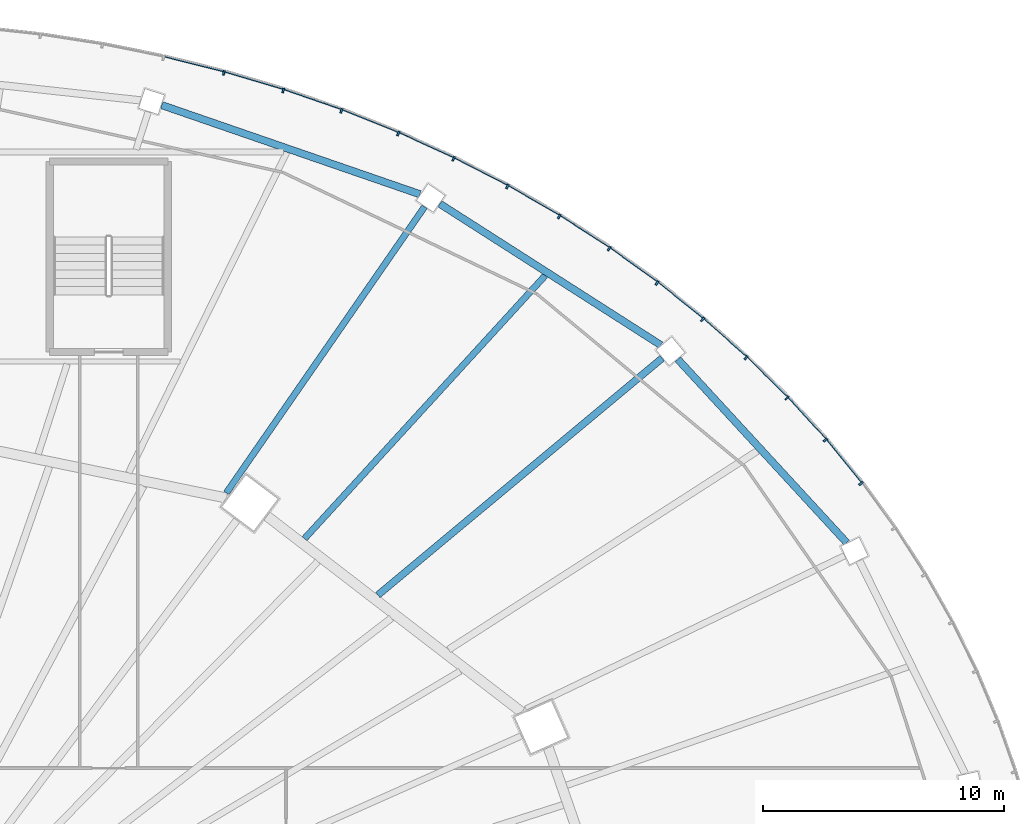
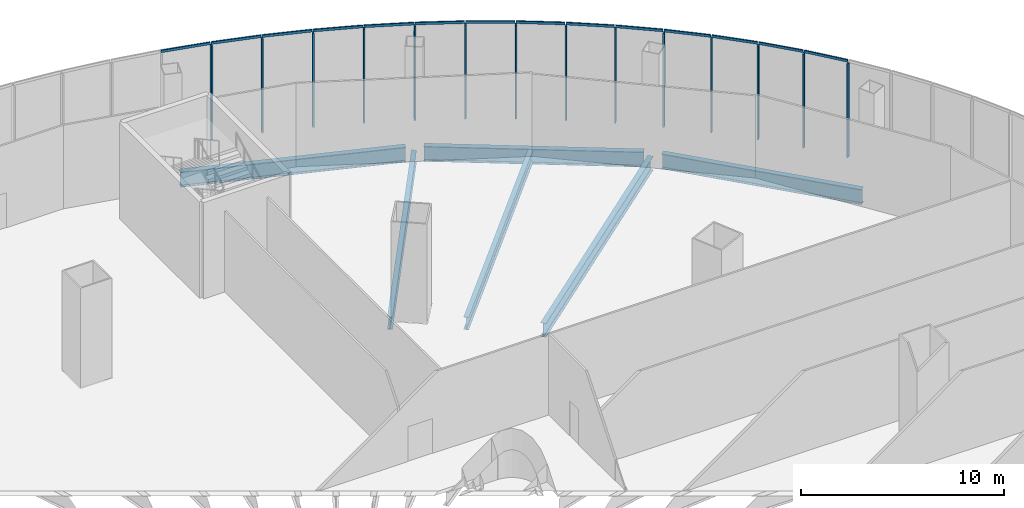
# One storey, part 15 of 37: 28 members, 6 beams, 3 elements without a shape of their own.
"""IFC4 building model written with IfcOpenShell, lengths in metres."""

import ifcopenshell
import ifcopenshell.guid

model = None  # the IFC model being written
_history = None  # IfcOwnerHistory: only IFC2X3 demands one
_inside = {}  # id of a spatial element -> (the spatial element, [elements in it])
_under = {}  # id of a project, library or spatial element -> (it, [spatial elements below it])
_declared = {}  # id of a project -> (the project, [libraries it declares])
_typed = {}  # id of a type object -> (the type object, [elements of that type])
_made_of = {}  # id of a material, layer set ... -> (it, [elements and type objects made of it])


def new_model(schema):
    """Start an empty IFC model of exactly this schema.

    Asked for "IFC4X3", IfcOpenShell would pick the latest addendum, in which some entities
    have other attributes; the version numbers below select the first issue.
    IFC2X3 requires an IfcOwnerHistory on every rooted entity: one is made here for all.
    """
    global model, _history
    if schema == "IFC4X3":
        model = ifcopenshell.file(schema_version=(4, 3, 0, 0))
    else:
        model = ifcopenshell.file(schema=schema)
    _inside.clear()
    _under.clear()
    _declared.clear()
    _typed.clear()
    _made_of.clear()
    _history = None
    if model.schema == "IFC2X3":
        org = make("IfcOrganization", Name="unknown")
        user = make(
            "IfcPersonAndOrganization",
            ThePerson=make("IfcPerson", FamilyName="unknown"),
            TheOrganization=org,
        )
        app = make(
            "IfcApplication",
            ApplicationDeveloper=org,
            Version="unknown",
            ApplicationFullName="unknown",
            ApplicationIdentifier="unknown",
        )
        _history = make(
            "IfcOwnerHistory",
            OwningUser=user,
            OwningApplication=app,
            ChangeAction="ADDED",
            CreationDate=0,
        )
    return model


def make(cls, **values):
    """One entity of the class cls with the attributes given. An attribute that is None is left unset."""
    return model.create_entity(
        cls, **{name: value for name, value in values.items() if value is not None}
    )


def rooted(cls, **values):
    """An entity with a GlobalId (a new one), such as an element, a storey or a relation."""
    return make(cls, GlobalId=ifcopenshell.guid.new(), OwnerHistory=_history, **values)


def si_unit(unit_type, name, prefix=None):
    """IfcSIUnit, for example si_unit("LENGTHUNIT", "METRE", prefix="MILLI")."""
    return make("IfcSIUnit", UnitType=unit_type, Prefix=prefix, Name=name)


def assignment(units):
    """IfcUnitAssignment: the units of a project."""
    return None if units is None else make("IfcUnitAssignment", Units=units)


def point(xyz):
    """IfcCartesianPoint."""
    return None if xyz is None else make("IfcCartesianPoint", Coordinates=xyz)


def direction(xyz):
    """IfcDirection."""
    return None if xyz is None else make("IfcDirection", DirectionRatios=xyz)


def frame(location, z_axis=None, x_axis=None):
    """IfcAxis2Placement3D, a coordinate frame: its origin and axes. An axis left out is left unset."""
    return make(
        "IfcAxis2Placement3D",
        Location=point(location),
        Axis=direction(z_axis),
        RefDirection=direction(x_axis),
    )


def frame_2d(location, x_axis=None):
    """IfcAxis2Placement2D, a coordinate frame in the plane: its origin and x axis."""
    return make(
        "IfcAxis2Placement2D", Location=point(location), RefDirection=direction(x_axis)
    )


def origin():
    """The frame at (0, 0, 0) with its axes left unset."""
    return frame((0.0, 0.0, 0.0))


def origin_2d():
    """The frame at (0, 0) in the plane with its x axis left unset."""
    return frame_2d((0.0, 0.0))


def place(relative_to, where):
    """IfcLocalPlacement: puts the frame where relative to a parent placement (None: the world)."""
    return make(
        "IfcLocalPlacement", PlacementRelTo=relative_to, RelativePlacement=where
    )


def context(
    kind, dimensions, precision=None, world=None, true_north=None, identifier=None
):
    """IfcGeometricRepresentationContext, for example the 3D "Model" context."""
    return make(
        "IfcGeometricRepresentationContext",
        ContextIdentifier=identifier,
        ContextType=kind,
        CoordinateSpaceDimension=dimensions,
        Precision=precision,
        WorldCoordinateSystem=world,
        TrueNorth=true_north,
    )


def subcontext(parent, identifier, kind, view, scale=None):
    """IfcGeometricRepresentationSubContext, for example "Body" below "Model"."""
    return make(
        "IfcGeometricRepresentationSubContext",
        ContextIdentifier=identifier,
        ContextType=kind,
        ParentContext=parent,
        TargetScale=scale,
        TargetView=view,
    )


def project(units=None, contexts=None):
    """IfcProject with its units and contexts."""
    return rooted(
        "IfcProject",
        Name="project",
        RepresentationContexts=contexts,
        UnitsInContext=assignment(units),
    )


def spatial(cls, under=None, at=None, **own):
    """A site, building, storey or space (cls), placed at a placement, below another one or the project."""
    s = rooted(cls, ObjectPlacement=at, **own)
    if under is not None:
        _under.setdefault(under.id(), (under, []))[1].append(s)
    return s


def profile(cls, at=None, kind="AREA", **sizes):
    """A parametric profile (cls). Its sizes go by their IFC names, for example OverallWidth=200.0."""
    return make(cls, ProfileType=kind, Position=at, **sizes)


def rectangle(**sizes):
    """IfcRectangleProfileDef."""
    return profile("IfcRectangleProfileDef", **sizes)


def i_section(**sizes):
    """IfcIShapeProfileDef."""
    return profile("IfcIShapeProfileDef", **sizes)


def extrude(swept, where, along, depth):
    """IfcExtrudedAreaSolid: the profile swept, set in the frame where, extruded along a direction by depth."""
    return make(
        "IfcExtrudedAreaSolid",
        SweptArea=swept,
        Position=where,
        ExtrudedDirection=direction(along),
        Depth=depth,
    )


def shape(context_of_items, identifier, shape_type, items):
    """IfcShapeRepresentation: the items that make up one representation, for example the "Body"."""
    return make(
        "IfcShapeRepresentation",
        ContextOfItems=context_of_items,
        RepresentationIdentifier=identifier,
        RepresentationType=shape_type,
        Items=items,
    )


def material(Name=None, Category=None):
    """IfcMaterial."""
    return make("IfcMaterial", Name=Name, Category=Category)


def layer(
    of_material, thickness, ventilated=None, Name=None, Category=None, Priority=None
):
    """IfcMaterialLayer: one layer of a wall or slab, of a material (None: an air gap)."""
    return make(
        "IfcMaterialLayer",
        Material=of_material,
        LayerThickness=thickness,
        IsVentilated=ventilated,
        Name=Name,
        Category=Category,
        Priority=Priority,
    )


def layer_set(layers, Name=None):
    """IfcMaterialLayerSet."""
    return make("IfcMaterialLayerSet", MaterialLayers=layers, LayerSetName=Name)


def material_profile(
    of_material, cross_section, Name=None, Category=None, Priority=None
):
    """IfcMaterialProfile: a cross section and its material."""
    return make(
        "IfcMaterialProfile",
        Name=Name,
        Material=of_material,
        Profile=cross_section,
        Priority=Priority,
        Category=Category,
    )


def profile_set(profiles, Name=None, composite=None):
    """IfcMaterialProfileSet."""
    return make(
        "IfcMaterialProfileSet",
        Name=Name,
        MaterialProfiles=profiles,
        CompositeProfile=composite,
    )


def made_of(thing, what):
    """Note that an element or type object is made of a material, layer set ...; save() writes the relation."""
    if what is not None:
        _made_of.setdefault(what.id(), (what, []))[1].append(thing)
    return thing


def type_object(cls, material=None, **own):
    """A type object (cls), such as IfcWallType, which elements share."""
    return made_of(rooted(cls, **own), material)


def element(
    cls,
    number,
    at=None,
    inside=None,
    cuts=None,
    type_object=None,
    material=None,
    context=None,
    identifier="Body",
    shape_type=None,
    held_by="IfcProductDefinitionShape",
    body=None,
    shapes=None,
    **own,
):
    """One element of the class cls, such as IfcWall. Its Tag is "e" and its number.

    at: its placement. inside: the storey or other place that contains it. cuts: it is an
    opening in that element (IfcRelVoidsElement). A single representation is given by context,
    identifier, shape_type and body (its items); several are given by shapes. held_by: the class
    of the entity that holds the representations. save() writes the other relations.
    """
    e = rooted(cls, Tag="e%d" % number, ObjectPlacement=at, **own)
    if body is not None:
        shapes = [shape(context, identifier, shape_type, body)]
    if shapes is not None:
        e.Representation = make(held_by, Representations=shapes)
    if inside is not None:
        _inside.setdefault(inside.id(), (inside, []))[1].append(e)
    if cuts is not None:
        rooted(
            "IfcRelVoidsElement", RelatingBuildingElement=cuts, RelatedOpeningElement=e
        )
    if type_object is not None:
        _typed.setdefault(type_object.id(), (type_object, []))[1].append(e)
    return made_of(e, material)


def aggregate(whole, parts):
    """IfcRelAggregates: a whole, such as a stair, and the parts it consists of."""
    return rooted("IfcRelAggregates", RelatingObject=whole, RelatedObjects=parts)


def save(model, path):
    """Write the relations noted so far, then the file.

    IfcRelAggregates (storeys below a building ...), IfcRelContainedInSpatialStructure (elements
    in a storey), IfcRelDefinesByType, IfcRelAssociatesMaterial and IfcRelDeclares: one each for
    every whole, place, type object, material and project.
    """
    for whole, parts in _under.values():
        aggregate(whole, parts)
    for where, things in _inside.values():
        rooted(
            "IfcRelContainedInSpatialStructure",
            RelatedElements=things,
            RelatingStructure=where,
        )
    for kind, things in _typed.values():
        rooted("IfcRelDefinesByType", RelatedObjects=things, RelatingType=kind)
    for what, things in _made_of.values():
        rooted("IfcRelAssociatesMaterial", RelatedObjects=things, RelatingMaterial=what)
    for by, libraries in _declared.values():
        rooted("IfcRelDeclares", RelatingContext=by, RelatedDefinitions=libraries)
    model.write(path)


model = new_model("IFC4")

# Units and contexts
model_context = context("Model", 3, precision=1e-05, world=origin(), true_north=direction((0.0, 1.0)))
body_context = subcontext(model_context, "Body", "Model", "MODEL_VIEW")
ifc_project = project(units=[si_unit("LENGTHUNIT", "METRE"), si_unit("AREAUNIT", "SQUARE_METRE"), si_unit("VOLUMEUNIT", "CUBIC_METRE"), si_unit("PLANEANGLEUNIT", "RADIAN"), si_unit("MASSUNIT", "GRAM", prefix="KILO")], contexts=[model_context])

# Site, building, storey
site_placement = place(None, origin())
site = spatial("IfcSite", under=ifc_project, at=site_placement, CompositionType="ELEMENT")
building_placement = place(site_placement, origin())
building = spatial("IfcBuilding", under=site, at=building_placement, Name="Sahrelin Media Tower", CompositionType="ELEMENT")
storey_placement = place(building_placement, frame((0.0, 0.0, 31.39990234375)))
storey = spatial("IfcBuildingStorey", under=building, at=storey_placement, Name="L04", CompositionType="ELEMENT", Elevation=31.39990234375)

# Curtain wall, members
ifc_material_1 = material(Name="Champagne anodised aluminium 6063-T6", Category="aluminium")
ifc_layer = layer(ifc_material_1, 0.14990234375)
ifc_layer_set = layer_set([ifc_layer], Name="Podium ribbon curtain wall")
curtain_wall_type = type_object("IfcCurtainWallType", Name="Podium ribbon curtain wall", PredefinedType="NOTDEFINED", material=ifc_layer_set)
curtain_wall_1_placement = place(storey_placement, frame((43.30126953125, 21.0, 0.0), z_axis=(0.0, 0.0, 1.0), x_axis=(1.0, 0.0, 0.0)))
curtain_wall_1 = element("IfcCurtainWall", 1, at=curtain_wall_1_placement, inside=storey, type_object=curtain_wall_type, Name="L04:CW:L04-P02", PredefinedType="NOTDEFINED")
ifc_material_profile_1 = material_profile(ifc_material_1, rectangle(XDim=0.080078125, YDim=0.199951171875, at=origin_2d()), Name="Mullion 80x200")
ifc_profile_set_1 = profile_set([ifc_material_profile_1], Name="Champagne anodised aluminium 6063-T6")
member_type_1 = type_object("IfcMemberType", Name="Mullion 80x200 CW5", PredefinedType="MULLION", material=ifc_profile_set_1)
member_1_placement = place(storey_placement, frame((41.840576171875, 22.798828125, 0.0), z_axis=(0.0, 0.0, 1.0), x_axis=(-0.633234995933, 0.77395958546, 0.0)))
member_1 = element("IfcMember", 2, at=member_1_placement, type_object=member_type_1, Name="L04:CWM2:L04-P02", PredefinedType="MULLION", context=body_context, shape_type="SweptSolid", body=[
    extrude(rectangle(XDim=0.080078125, YDim=0.199951171875, at=origin_2d()), origin(), (0.0, 0.0, 1.0), 5.650146484375),
])
member_2_placement = place(storey_placement, frame((40.3623046875, 24.606201171875, 0.0), z_axis=(0.0, 0.0, 1.0), x_axis=(-0.67442997344, 0.738338818514, 0.0)))
member_2 = element("IfcMember", 3, at=member_2_placement, type_object=member_type_1, Name="L04:CWM3:L04-P02", PredefinedType="MULLION", context=body_context, shape_type="SweptSolid", body=[
    extrude(rectangle(XDim=0.080078125, YDim=0.199951171875, at=origin_2d()), origin(), (0.0, 0.0, 1.0), 5.650146484375),
])
member_3_placement = place(storey_placement, frame((38.773193359375, 26.345947265625, 0.0), z_axis=(0.0, 0.0, 1.0), x_axis=(-0.712973923933, 0.70119054742, 0.0)))
member_3 = element("IfcMember", 4, at=member_3_placement, type_object=member_type_1, Name="L04:CWM4:L04-P02", PredefinedType="MULLION", context=body_context, shape_type="SweptSolid", body=[
    extrude(rectangle(XDim=0.080078125, YDim=0.199951171875, at=origin_2d()), origin(), (0.0, 0.0, 1.0), 5.650146484375),
])
member_4_placement = place(storey_placement, frame((37.07763671875, 28.013671875, 0.0), z_axis=(0.0, 0.0, 1.0), x_axis=(-0.748788005735, 0.662809567272, 0.0)))
member_4 = element("IfcMember", 5, at=member_4_placement, type_object=member_type_1, Name="L04:CWM5:L04-P02", PredefinedType="MULLION", context=body_context, shape_type="SweptSolid", body=[
    extrude(rectangle(XDim=0.080078125, YDim=0.199951171875, at=origin_2d()), origin(), (0.0, 0.0, 1.0), 5.650146484375),
])

curtain_wall_2_placement = place(storey_placement, frame((35.355224609375, 29.698486328125, 0.0), z_axis=(0.0, 0.0, 1.0), x_axis=(1.0, 0.0, 0.0)))
curtain_wall_2 = element("IfcCurtainWall", 6, at=curtain_wall_2_placement, inside=storey, type_object=curtain_wall_type, Name="L04:CW:L04-P03", PredefinedType="NOTDEFINED")
member_5_placement = place(storey_placement, frame((35.280517578125, 29.604736328125, 0.0), z_axis=(0.0, 0.0, 1.0), x_axis=(-0.781960183728, 0.623328381405, 0.0)))
member_5 = element("IfcMember", 7, at=member_5_placement, type_object=member_type_1, Name="L04:CWM1:L04-P03", PredefinedType="MULLION", context=body_context, shape_type="SweptSolid", body=[
    extrude(rectangle(XDim=0.080078125, YDim=0.199951171875, at=origin_2d()), origin(), (0.0, 0.0, 1.0), 5.650146484375),
])
member_6_placement = place(storey_placement, frame((33.38671875, 31.114501953125, 0.0), z_axis=(0.0, 0.0, 1.0), x_axis=(-0.812532432251, 0.582915985834, 0.0)))
member_6 = element("IfcMember", 8, at=member_6_placement, type_object=member_type_1, Name="L04:CWM2:L04-P03", PredefinedType="MULLION", context=body_context, shape_type="SweptSolid", body=[
    extrude(rectangle(XDim=0.080078125, YDim=0.199951171875, at=origin_2d()), origin(), (0.0, 0.0, 1.0), 5.650146484375),
])
member_7_placement = place(storey_placement, frame((31.40087890625, 32.539306640625, 0.0), z_axis=(0.0, 0.0, 1.0), x_axis=(-0.840519327336, 0.541781561494, 0.0)))
member_7 = element("IfcMember", 9, at=member_7_placement, type_object=member_type_1, Name="L04:CWM3:L04-P03", PredefinedType="MULLION", context=body_context, shape_type="SweptSolid", body=[
    extrude(rectangle(XDim=0.080078125, YDim=0.199951171875, at=origin_2d()), origin(), (0.0, 0.0, 1.0), 5.650146484375),
])
member_8_placement = place(storey_placement, frame((29.329345703125, 33.874755859375, 0.0), z_axis=(0.0, 0.0, 1.0), x_axis=(-0.866028894422, 0.49999395399, 0.0)))
member_8 = element("IfcMember", 10, at=member_8_placement, type_object=member_type_1, Name="L04:CWM4:L04-P03", PredefinedType="MULLION", context=body_context, shape_type="SweptSolid", body=[
    extrude(rectangle(XDim=0.080078125, YDim=0.199951171875, at=origin_2d()), origin(), (0.0, 0.0, 1.0), 5.650146484375),
])
member_9_placement = place(storey_placement, frame((27.177001953125, 35.117431640625, 0.0), z_axis=(0.0, 0.0, 1.0), x_axis=(-0.889123403251, 0.457667536309, 0.0)))
member_9 = element("IfcMember", 11, at=member_9_placement, type_object=member_type_1, Name="L04:CWM5:L04-P03", PredefinedType="MULLION", context=body_context, shape_type="SweptSolid", body=[
    extrude(rectangle(XDim=0.080078125, YDim=0.199951171875, at=origin_2d()), origin(), (0.0, 0.0, 1.0), 5.650146484375),
])

curtain_wall_3_placement = place(storey_placement, frame((25.0, 36.373046875, 0.0), z_axis=(0.0, 0.0, 1.0), x_axis=(1.0, 0.0, 0.0)))
curtain_wall_3 = element("IfcCurtainWall", 12, at=curtain_wall_3_placement, inside=storey, type_object=curtain_wall_type, Name="L04:CW:L04-P04", PredefinedType="NOTDEFINED")
member_10_placement = place(storey_placement, frame((24.9501953125, 36.263916015625, 0.0), z_axis=(0.0, 0.0, 1.0), x_axis=(-0.909841810065, 0.414955275491, 0.0)))
member_10 = element("IfcMember", 13, at=member_10_placement, type_object=member_type_1, Name="L04:CWM1:L04-P04", PredefinedType="MULLION", context=body_context, shape_type="SweptSolid", body=[
    extrude(rectangle(XDim=0.080078125, YDim=0.199951171875, at=origin_2d()), origin(), (0.0, 0.0, 1.0), 5.650146484375),
])
member_11_placement = place(storey_placement, frame((22.65478515625, 37.310791015625, 0.0), z_axis=(0.0, 0.0, 1.0), x_axis=(-0.928270482181, 0.371905783648, 0.0)))
member_11 = element("IfcMember", 14, at=member_11_placement, type_object=member_type_1, Name="L04:CWM2:L04-P04", PredefinedType="MULLION", context=body_context, shape_type="SweptSolid", body=[
    extrude(rectangle(XDim=0.080078125, YDim=0.199951171875, at=origin_2d()), origin(), (0.0, 0.0, 1.0), 5.650146484375),
])
member_12_placement = place(storey_placement, frame((20.29736328125, 38.255615234375, 0.0), z_axis=(0.0, 0.0, 1.0), x_axis=(-0.944458420046, 0.328630937077, 0.0)))
member_12 = element("IfcMember", 15, at=member_12_placement, type_object=member_type_1, Name="L04:CWM3:L04-P04", PredefinedType="MULLION", context=body_context, shape_type="SweptSolid", body=[
    extrude(rectangle(XDim=0.080078125, YDim=0.199951171875, at=origin_2d()), origin(), (0.0, 0.0, 1.0), 5.650146484375),
])
member_13_placement = place(storey_placement, frame((17.88427734375, 39.095458984375, 0.0), z_axis=(0.0, 0.0, 1.0), x_axis=(-0.958494922328, 0.285109599754, 0.0)))
member_13 = element("IfcMember", 16, at=member_13_placement, type_object=member_type_1, Name="L04:CWM4:L04-P04", PredefinedType="MULLION", context=body_context, shape_type="SweptSolid", body=[
    extrude(rectangle(XDim=0.080078125, YDim=0.199951171875, at=origin_2d()), origin(), (0.0, 0.0, 1.0), 5.650146484375),
])
member_14_placement = place(storey_placement, frame((15.421875, 39.827880859375, 0.0), z_axis=(0.0, 0.0, 1.0), x_axis=(-0.970410464409, 0.241461240296, 0.0)))
member_14 = element("IfcMember", 17, at=member_14_placement, type_object=member_type_1, Name="L04:CWM5:L04-P04", PredefinedType="MULLION", context=body_context, shape_type="SweptSolid", body=[
    extrude(rectangle(XDim=0.080078125, YDim=0.199951171875, at=origin_2d()), origin(), (0.0, 0.0, 1.0), 5.650146484375),
])

# Beams
ifc_material_2 = material(Name="Steel S355", Category="steel")
ifc_material_profile_2 = material_profile(ifc_material_2, i_section(OverallWidth=0.30322265625, OverallDepth=0.903076171875, WebThickness=0.01513671875, FlangeThickness=0.020263671875, FilletRadius=0.01904296875, at=origin_2d()), Name="UB 914x305x201")
ifc_profile_set_2 = profile_set([ifc_material_profile_2], Name="Steel S355")
beam_type_1 = type_object("IfcBeamType", Name="Podium edge girder PE11", PredefinedType="BEAM", material=ifc_profile_set_2)
beam_1_placement = place(storey_placement, frame((41.25048828125, 20.34619140625, -0.6513671875), z_axis=(-0.677370529771, 0.735642008995, 0.0), x_axis=(-0.735642008995, -0.677370529771, 0.0)))
element("IfcBeam", 18, at=beam_1_placement, inside=storey, type_object=beam_type_1, Name="Podium edge girder L04-03", PredefinedType="BEAM", context=body_context, shape_type="SweptSolid", body=[
    extrude(i_section(OverallWidth=0.30322265625, OverallDepth=0.903076171875, WebThickness=0.01513671875, FlangeThickness=0.020263671875, FilletRadius=0.01904296875, at=origin_2d()), origin(), (0.0, 0.0, 1.0), 10.340087890625),
])
beam_2_placement = place(storey_placement, frame((33.54345703125, 28.53857421875, -0.6513671875), z_axis=(-0.842485743715, 0.538718638657, 0.0), x_axis=(-0.538718638657, -0.842485743715, 0.0)))
element("IfcBeam", 19, at=beam_2_placement, inside=storey, type_object=beam_type_1, Name="Podium edge girder L04-04", PredefinedType="BEAM", context=body_context, shape_type="SweptSolid", body=[
    extrude(i_section(OverallWidth=0.30322265625, OverallDepth=0.903076171875, WebThickness=0.01513671875, FlangeThickness=0.020263671875, FilletRadius=0.01904296875, at=origin_2d()), origin(), (0.0, 0.0, 1.0), 10.87744140625),
])
beam_3_placement = place(storey_placement, frame((23.55810546875, 34.79345703125, -0.6513671875), z_axis=(-0.94527240249, 0.32628221694, 0.0), x_axis=(-0.32628221694, -0.94527240249, 0.0)))
element("IfcBeam", 20, at=beam_3_placement, inside=storey, type_object=beam_type_1, Name="Podium edge girder L04-05", PredefinedType="BEAM", context=body_context, shape_type="SweptSolid", body=[
    extrude(i_section(OverallWidth=0.30322265625, OverallDepth=0.903076171875, WebThickness=0.01513671875, FlangeThickness=0.020263671875, FilletRadius=0.01904296875, at=origin_2d()), origin(), (0.0, 0.0, 1.0), 11.329345703125),
])
ifc_material_profile_3 = material_profile(ifc_material_2, i_section(OverallWidth=0.291748046875, OverallDepth=0.8349609375, WebThickness=0.013916015625, FlangeThickness=0.018798828125, FilletRadius=0.017822265625, at=origin_2d()), Name="UB 838x292x176")
ifc_profile_set_3 = profile_set([ifc_material_profile_3], Name="Steel S355")
beam_type_2 = type_object("IfcBeamType", Name="Radial primary beam PB10", PredefinedType="BEAM", material=ifc_profile_set_3)
beam_4_placement = place(storey_placement, frame((21.809326171875, 18.174560546875, -0.6171875), z_axis=(0.768229105739, 0.640175008178, 0.0), x_axis=(-0.640175008178, 0.768229105739, 0.0)))
element("IfcBeam", 21, at=beam_4_placement, inside=storey, type_object=beam_type_2, Name="Radial beam L04-04", PredefinedType="BEAM", context=body_context, shape_type="SweptSolid", body=[
    extrude(i_section(OverallWidth=0.291748046875, OverallDepth=0.8349609375, WebThickness=0.013916015625, FlangeThickness=0.018798828125, FilletRadius=0.017822265625, at=origin_2d()), origin(), (0.0, 0.0, 1.0), 15.342041015625),
])
ifc_material_profile_4 = material_profile(ifc_material_2, i_section(OverallWidth=0.26513671875, OverallDepth=0.75390625, WebThickness=0.0126953125, FlangeThickness=0.017578125, FilletRadius=0.0166015625, at=origin_2d()), Name="UB 762x267x147")
ifc_profile_set_4 = profile_set([ifc_material_profile_4], Name="Steel S355")
beam_type_3 = type_object("IfcBeamType", Name="Radial primary beam PB9", PredefinedType="BEAM", material=ifc_profile_set_4)
beam_5_placement = place(storey_placement, frame((15.527099609375, 22.411376953125, -0.576904296875), z_axis=(0.569493278726, 0.821995988729, 0.0), x_axis=(-0.821995988729, 0.569493278726, 0.0)))
element("IfcBeam", 22, at=beam_5_placement, inside=storey, type_object=beam_type_3, Name="Radial beam L04-05", PredefinedType="BEAM", context=body_context, shape_type="SweptSolid", body=[
    extrude(i_section(OverallWidth=0.26513671875, OverallDepth=0.75390625, WebThickness=0.0126953125, FlangeThickness=0.017578125, FilletRadius=0.0166015625, at=origin_2d()), origin(), (0.0, 0.0, 1.0), 14.427734375),
])
ifc_material_profile_5 = material_profile(ifc_material_2, i_section(OverallWidth=0.26513671875, OverallDepth=0.75390625, WebThickness=0.0126953125, FlangeThickness=0.017578125, FilletRadius=0.0166015625, at=origin_2d()), Name="UB 762x267x147")
ifc_profile_set_5 = profile_set([ifc_material_profile_5], Name="Steel S355")
beam_type_4 = type_object("IfcBeamType", Name="Radial secondary beam SB9", PredefinedType="BEAM", material=ifc_profile_set_5)
beam_6_placement = place(storey_placement, frame((18.7685546875, 20.514892578125, -0.576904296875), z_axis=(0.675004282666, 0.737813810106, 0.0), x_axis=(-0.737813810106, 0.675004282666, 0.0)))
element("IfcBeam", 23, at=beam_6_placement, inside=storey, type_object=beam_type_4, Name="Secondary beam L04-04", PredefinedType="BEAM", context=body_context, shape_type="SweptSolid", body=[
    extrude(i_section(OverallWidth=0.26513671875, OverallDepth=0.75390625, WebThickness=0.0126953125, FlangeThickness=0.017578125, FilletRadius=0.0166015625, at=origin_2d()), origin(), (0.0, 0.0, 1.0), 14.7861328125),
])

# Member
ifc_material_profile_6 = material_profile(ifc_material_1, rectangle(XDim=0.06005859375, YDim=0.14990234375, at=origin_2d()), Name="Transom 60x150")
ifc_profile_set_6 = profile_set([ifc_material_profile_6], Name="Champagne anodised aluminium 6063-T6")
member_type_2 = type_object("IfcMemberType", Name="Transom 60x150 CW5", PredefinedType="USERDEFINED", material=ifc_profile_set_6)
member_15_placement = place(storey_placement, frame((41.863037109375, 22.8818359375, 5.72509765625), z_axis=(-0.633220383586, 0.773971540698, 0.0), x_axis=(-0.773971540698, -0.633220383586, 0.0)))
member_15 = element("IfcMember", 24, at=member_15_placement, type_object=member_type_2, Name="L04:CWT2a:L04-P02", ObjectType="TRANSOM", PredefinedType="USERDEFINED", context=body_context, shape_type="SweptSolid", body=[
    extrude(rectangle(XDim=0.06005859375, YDim=0.14990234375, at=origin_2d()), origin(), (0.0, 0.0, 1.0), 2.291259765625),
])

member_16_placement = place(storey_placement, frame((40.380126953125, 24.690185546875, 5.72509765625), z_axis=(-0.674452068042, 0.738318635762, 0.0), x_axis=(-0.738318635762, -0.674452068042, 0.0)))
member_16 = element("IfcMember", 25, at=member_16_placement, type_object=member_type_2, Name="L04:CWT3a:L04-P02", ObjectType="TRANSOM", PredefinedType="USERDEFINED", context=body_context, shape_type="SweptSolid", body=[
    extrude(rectangle(XDim=0.06005859375, YDim=0.14990234375, at=origin_2d()), origin(), (0.0, 0.0, 1.0), 2.312744140625),
])

member_17_placement = place(storey_placement, frame((38.78662109375, 26.430908203125, 5.72509765625), z_axis=(-0.712990568358, 0.701173622887, 0.0), x_axis=(-0.701173622887, -0.712990568358, 0.0)))
member_17 = element("IfcMember", 26, at=member_17_placement, type_object=member_type_2, Name="L04:CWT4a:L04-P02", ObjectType="TRANSOM", PredefinedType="USERDEFINED", context=body_context, shape_type="SweptSolid", body=[
    extrude(rectangle(XDim=0.06005859375, YDim=0.14990234375, at=origin_2d()), origin(), (0.0, 0.0, 1.0), 2.334716796875),
])

member_18_placement = place(storey_placement, frame((37.086669921875, 28.09912109375, 5.72509765625), z_axis=(-0.74874536596, 0.662857735078, 0.0), x_axis=(-0.662857735078, -0.74874536596, 0.0)))
member_18 = element("IfcMember", 27, at=member_18_placement, type_object=member_type_2, Name="L04:CWT5a:L04-P02", ObjectType="TRANSOM", PredefinedType="USERDEFINED", context=body_context, shape_type="SweptSolid", body=[
    extrude(rectangle(XDim=0.06005859375, YDim=0.14990234375, at=origin_2d()), origin(), (0.0, 0.0, 1.0), 2.3564453125),
])

aggregate(curtain_wall_1, [member_1, member_15, member_2, member_16, member_3, member_17, member_4, member_18])

member_19_placement = place(storey_placement, frame((35.284912109375, 29.690673828125, 5.72509765625), z_axis=(-0.781949308238, 0.62334202437, 0.0), x_axis=(-0.62334202437, -0.781949308238, 0.0)))
member_19 = element("IfcMember", 28, at=member_19_placement, type_object=member_type_2, Name="L04:CWT1a:L04-P03", ObjectType="TRANSOM", PredefinedType="USERDEFINED", context=body_context, shape_type="SweptSolid", body=[
    extrude(rectangle(XDim=0.06005859375, YDim=0.14990234375, at=origin_2d()), origin(), (0.0, 0.0, 1.0), 2.378173828125),
])

member_20_placement = place(storey_placement, frame((33.38671875, 31.20068359375, 5.72509765625), z_axis=(-0.812494250999, 0.582969203384, 0.0), x_axis=(-0.582969203384, -0.812494250999, 0.0)))
member_20 = element("IfcMember", 29, at=member_20_placement, type_object=member_type_2, Name="L04:CWT2a:L04-P03", ObjectType="TRANSOM", PredefinedType="USERDEFINED", context=body_context, shape_type="SweptSolid", body=[
    extrude(rectangle(XDim=0.06005859375, YDim=0.14990234375, at=origin_2d()), origin(), (0.0, 0.0, 1.0), 2.399658203125),
])

member_21_placement = place(storey_placement, frame((31.39697265625, 32.625244140625, 5.72509765625), z_axis=(-0.840515923585, 0.541786842033, 0.0), x_axis=(-0.541786842033, -0.840515923585, 0.0)))
member_21 = element("IfcMember", 30, at=member_21_placement, type_object=member_type_2, Name="L04:CWT3a:L04-P03", ObjectType="TRANSOM", PredefinedType="USERDEFINED", context=body_context, shape_type="SweptSolid", body=[
    extrude(rectangle(XDim=0.06005859375, YDim=0.14990234375, at=origin_2d()), origin(), (0.0, 0.0, 1.0), 2.420654296875),
])

member_22_placement = place(storey_placement, frame((29.321044921875, 33.96044921875, 5.72509765625), z_axis=(-0.866037355757, 0.499979298005, 0.0), x_axis=(-0.499979298005, -0.866037355757, 0.0)))
member_22 = element("IfcMember", 31, at=member_22_placement, type_object=member_type_2, Name="L04:CWT4a:L04-P03", ObjectType="TRANSOM", PredefinedType="USERDEFINED", context=body_context, shape_type="SweptSolid", body=[
    extrude(rectangle(XDim=0.06005859375, YDim=0.14990234375, at=origin_2d()), origin(), (0.0, 0.0, 1.0), 2.44091796875),
])

member_23_placement = place(storey_placement, frame((27.164794921875, 35.20263671875, 5.72509765625), z_axis=(-0.889147091366, 0.457621513824, 0.0), x_axis=(-0.457621513824, -0.889147091366, 0.0)))
member_23 = element("IfcMember", 32, at=member_23_placement, type_object=member_type_2, Name="L04:CWT5a:L04-P03", ObjectType="TRANSOM", PredefinedType="USERDEFINED", context=body_context, shape_type="SweptSolid", body=[
    extrude(rectangle(XDim=0.06005859375, YDim=0.14990234375, at=origin_2d()), origin(), (0.0, 0.0, 1.0), 2.46044921875),
])

aggregate(curtain_wall_2, [member_5, member_19, member_6, member_20, member_7, member_21, member_8, member_22, member_9, member_23])

member_24_placement = place(storey_placement, frame((24.933837890625, 36.348388671875, 5.72509765625), z_axis=(-0.909869936632, 0.414893598906, 0.0), x_axis=(-0.414893598906, -0.909869936632, 0.0)))
member_24 = element("IfcMember", 33, at=member_24_placement, type_object=member_type_2, Name="L04:CWT1a:L04-P04", ObjectType="TRANSOM", PredefinedType="USERDEFINED", context=body_context, shape_type="SweptSolid", body=[
    extrude(rectangle(XDim=0.06005859375, YDim=0.14990234375, at=origin_2d()), origin(), (0.0, 0.0, 1.0), 2.478515625),
])

member_25_placement = place(storey_placement, frame((22.634521484375, 37.39453125, 5.72509765625), z_axis=(-0.928280887293, 0.371879811615, 0.0), x_axis=(-0.371879811615, -0.928280887293, 0.0)))
member_25 = element("IfcMember", 34, at=member_25_placement, type_object=member_type_2, Name="L04:CWT2a:L04-P04", ObjectType="TRANSOM", PredefinedType="USERDEFINED", context=body_context, shape_type="SweptSolid", body=[
    extrude(rectangle(XDim=0.06005859375, YDim=0.14990234375, at=origin_2d()), origin(), (0.0, 0.0, 1.0), 2.495361328125),
])

member_26_placement = place(storey_placement, frame((20.273193359375, 38.338134765625, 5.72509765625), z_axis=(-0.944469242615, 0.328599832248, 0.0), x_axis=(-0.328599832248, -0.944469242615, 0.0)))
member_26 = element("IfcMember", 35, at=member_26_placement, type_object=member_type_2, Name="L04:CWT3a:L04-P04", ObjectType="TRANSOM", PredefinedType="USERDEFINED", context=body_context, shape_type="SweptSolid", body=[
    extrude(rectangle(XDim=0.06005859375, YDim=0.14990234375, at=origin_2d()), origin(), (0.0, 0.0, 1.0), 2.510498046875),
])

member_27_placement = place(storey_placement, frame((17.856201171875, 39.1767578125, 5.72509765625), z_axis=(-0.958497078849, 0.285102349758, 0.0), x_axis=(-0.285102349758, -0.958497078849, 0.0)))
member_27 = element("IfcMember", 36, at=member_27_placement, type_object=member_type_2, Name="L04:CWT4a:L04-P04", ObjectType="TRANSOM", PredefinedType="USERDEFINED", context=body_context, shape_type="SweptSolid", body=[
    extrude(rectangle(XDim=0.06005859375, YDim=0.14990234375, at=origin_2d()), origin(), (0.0, 0.0, 1.0), 2.5244140625),
])

member_28_placement = place(storey_placement, frame((15.39013671875, 39.907958984375, 5.72509765625), z_axis=(-0.970396770558, 0.241516267963, 0.0), x_axis=(-0.241516267963, -0.970396770558, 0.0)))
member_28 = element("IfcMember", 37, at=member_28_placement, type_object=member_type_2, Name="L04:CWT5a:L04-P04", ObjectType="TRANSOM", PredefinedType="USERDEFINED", context=body_context, shape_type="SweptSolid", body=[
    extrude(rectangle(XDim=0.06005859375, YDim=0.14990234375, at=origin_2d()), origin(), (0.0, 0.0, 1.0), 2.536376953125),
])

aggregate(curtain_wall_3, [member_10, member_24, member_11, member_25, member_12, member_26, member_13, member_27, member_14, member_28])

save(model, "model.ifc")
